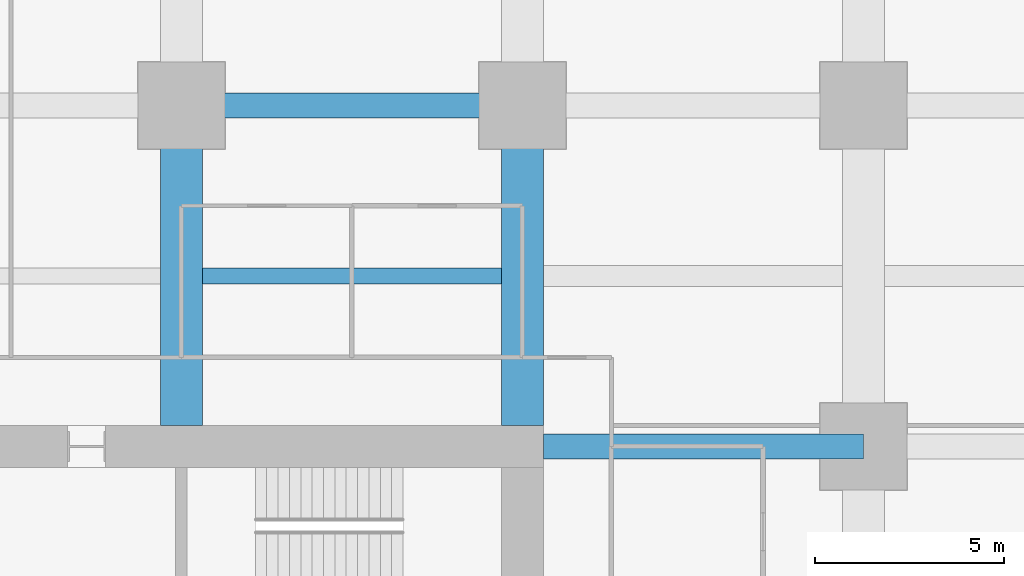
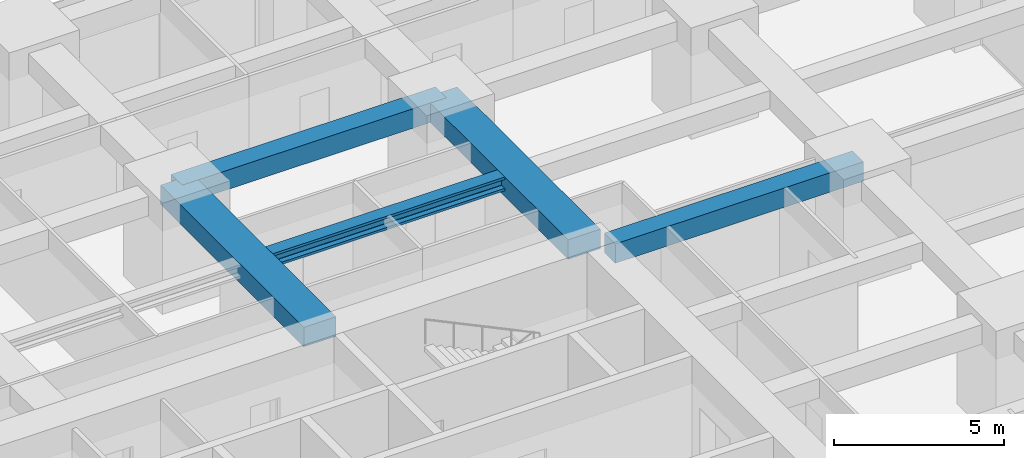
# One storey, part 31 of 45: 5 beams.
"""IFC4 building model written with IfcOpenShell, lengths in metres."""

from ifc_helpers import new_model, si_unit, direction, frame, origin, origin_2d, place, context, subcontext, project, spatial, rectangle, i_section, extrude, material, material_profile, profile_set, type_object, element, save


model = new_model("IFC4")

# Units and contexts
model_context = context("Model", 3, precision=1e-05, world=origin(), true_north=direction((0.0, 1.0)))
body_context = subcontext(model_context, "Body", "Model", "MODEL_VIEW")
ifc_project = project(units=[si_unit("LENGTHUNIT", "METRE"), si_unit("AREAUNIT", "SQUARE_METRE"), si_unit("VOLUMEUNIT", "CUBIC_METRE"), si_unit("PLANEANGLEUNIT", "RADIAN"), si_unit("MASSUNIT", "GRAM", prefix="KILO")], contexts=[model_context])

# Site, building, storey
site_placement = place(None, origin())
site = spatial("IfcSite", under=ifc_project, at=site_placement, CompositionType="ELEMENT")
building_placement = place(site_placement, origin())
building = spatial("IfcBuilding", under=site, at=building_placement, Name="Zorevar Civic Tower", CompositionType="ELEMENT")
storey_placement = place(building_placement, frame((0.0, 0.0, 47.800048828125)))
storey = spatial("IfcBuildingStorey", under=building, at=storey_placement, Name="L11", CompositionType="ELEMENT", Elevation=47.800048828125)

# Beams
ifc_material_1 = material(Name="Concrete C50/60", Category="concrete")
ifc_material_profile_1 = material_profile(ifc_material_1, rectangle(XDim=1.10009765625, YDim=0.699951171875, at=origin_2d()), Name="RC 1100x700")
ifc_profile_set_1 = profile_set([ifc_material_profile_1], Name="Concrete C50/60")
beam_type_1 = type_object("IfcBeamType", Name="Beam RC 1100x700", PredefinedType="BEAM", material=ifc_profile_set_1)
for number, where, z_axis, x_axis, name in (
    (1, (36.0, 36.550048828125, 3.39990234375), (0.0, 1.0, 0.0), (-1.0, 0.0, 0.0), "Girder L12"),
    (2, (45.0, 36.550048828125, 3.39990234375), (0.0, 1.0, 0.0), (-1.0, 0.0, 0.0), "Girder L12"),
):
    element("IfcBeam", number, at=place(storey_placement, frame(where, z_axis=z_axis, x_axis=x_axis)), inside=storey, type_object=beam_type_1, Name=name, PredefinedType="BEAM", context=body_context, shape_type="SweptSolid", body=[
        extrude(rectangle(XDim=1.10009765625, YDim=0.699951171875, at=origin_2d()), origin(), (0.0, 0.0, 1.0), 8.449951171875),
    ])
ifc_material_2 = material(Name="Concrete C50/60", Category="concrete")
ifc_material_profile_2 = material_profile(ifc_material_2, rectangle(XDim=0.64990234375, YDim=0.699951171875, at=origin_2d()), Name="RC 650x700")
ifc_profile_set_2 = profile_set([ifc_material_profile_2], Name="Concrete C50/60")
beam_type_2 = type_object("IfcBeamType", Name="Beam RC 650x700", PredefinedType="BEAM", material=ifc_profile_set_2)
beam_1_placement = place(storey_placement, frame((45.550048828125, 36.0, 3.39990234375), z_axis=(1.0, 0.0, 0.0), x_axis=(0.0, 1.0, 0.0)))
element("IfcBeam", 3, at=beam_1_placement, inside=storey, type_object=beam_type_2, Name="Girder L12", PredefinedType="BEAM", context=body_context, shape_type="SweptSolid", body=[
    extrude(rectangle(XDim=0.64990234375, YDim=0.699951171875, at=origin_2d()), origin(), (0.0, 0.0, 1.0), 8.449951171875),
])
beam_2_placement = place(storey_placement, frame((36.0, 45.0, 3.39990234375), z_axis=(1.0, 0.0, 0.0), x_axis=(0.0, 1.0, 0.0)))
element("IfcBeam", 4, at=beam_2_placement, inside=storey, type_object=beam_type_2, Name="Girder L12", PredefinedType="BEAM", context=body_context, shape_type="SweptSolid", body=[
    extrude(rectangle(XDim=0.64990234375, YDim=0.699951171875, at=origin_2d()), origin(), (0.0, 0.0, 1.0), 9.0),
])
ifc_material_3 = material(Name="Steel S460M (HISTAR 460)", Category="steel")
ifc_material_profile_3 = material_profile(ifc_material_3, i_section(OverallWidth=0.431884765625, OverallDepth=0.498046875, WebThickness=0.0556640625, FlangeThickness=0.0888671875, FilletRadius=0.014892578125, at=origin_2d()), Name="HD 400x744")
ifc_profile_set_3 = profile_set([ifc_material_profile_3], Name="Steel S460M (HISTAR 460)")
beam_type_3 = type_object("IfcBeamType", Name="Core bay beam HD 400x744", PredefinedType="BEAM", material=ifc_profile_set_3)
beam_3_placement = place(storey_placement, frame((36.550048828125, 40.5, 3.5009765625), z_axis=(1.0, 0.0, 0.0), x_axis=(0.0, 1.0, 0.0)))
element("IfcBeam", 5, at=beam_3_placement, inside=storey, type_object=beam_type_3, Name="Secondary beam L12", PredefinedType="BEAM", context=body_context, shape_type="SweptSolid", body=[
    extrude(i_section(OverallWidth=0.431884765625, OverallDepth=0.498046875, WebThickness=0.0556640625, FlangeThickness=0.0888671875, FilletRadius=0.014892578125, at=origin_2d()), origin(), (0.0, 0.0, 1.0), 7.89990234375),
])

save(model, "model.ifc")
